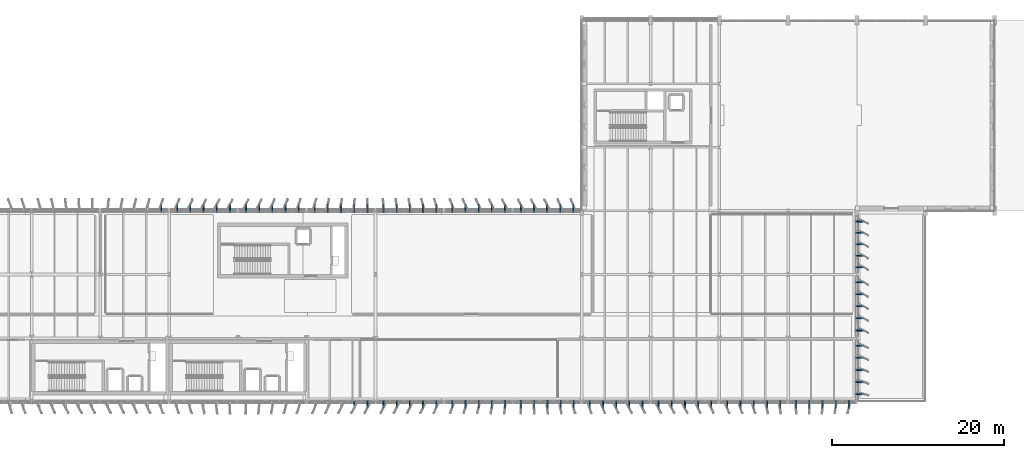
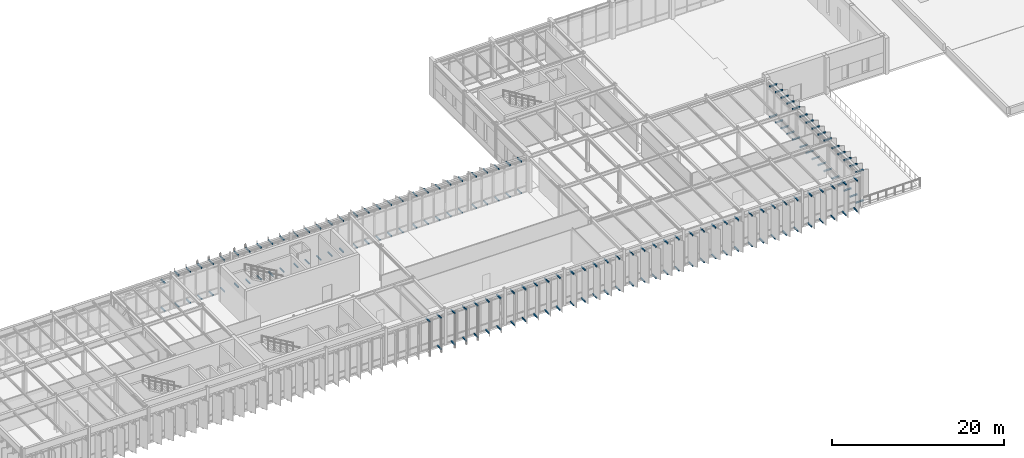
# One storey, part 39 of 48: 165 discrete accessories.
"""IFC4 building model written with IfcOpenShell, lengths in metres."""

from ifc_helpers import new_model, si_unit, direction, frame, origin, origin_2d, place, context, subcontext, project, spatial, rectangle, extrude, material, type_object, element, save


model = new_model("IFC4")

# Units and contexts
model_context = context("Model", 3, precision=1e-05, world=origin(), true_north=direction((0.0, 1.0)))
body_context = subcontext(model_context, "Body", "Model", "MODEL_VIEW")
ifc_project = project(units=[si_unit("LENGTHUNIT", "METRE"), si_unit("AREAUNIT", "SQUARE_METRE"), si_unit("VOLUMEUNIT", "CUBIC_METRE"), si_unit("PLANEANGLEUNIT", "RADIAN"), si_unit("MASSUNIT", "GRAM", prefix="KILO")], contexts=[model_context])

# Site, building, storey
site_placement = place(None, origin())
site = spatial("IfcSite", under=ifc_project, at=site_placement, CompositionType="ELEMENT")
building_placement = place(site_placement, origin())
building = spatial("IfcBuilding", under=site, at=building_placement, Name="Valkorina Park Police Headquarters", CompositionType="ELEMENT")
storey_placement = place(building_placement, frame((0.0, 0.0, 18.10009765625)))
storey = spatial("IfcBuildingStorey", under=building, at=storey_placement, Name="L05", CompositionType="ELEMENT", Elevation=18.10009765625)

# Discrete accessories
ifc_material = material(Name="Thermally broken aluminium AW-6060", Category="aluminium")
discrete_accessory_type = type_object("IfcDiscreteAccessoryType", Name="ACC-BRACKET-LOUVRE", PredefinedType="BRACKET", material=ifc_material)
for number, where, z_axis, x_axis, name in (
    (1, (111.8720703125, 36.719970703125, -0.06982421875), (0.0, 0.0, 1.0), (0.0, -1.0, 0.0), "Louvre Outrigger Bracket BOT 0315"),
    (2, (111.8720703125, 36.719970703125, 4.259765625), (0.0, 0.0, 1.0), (0.0, -1.0, 0.0), "Louvre Outrigger Bracket TOP 0316"),
    (3, (110.3359375, 36.719970703125, -0.06982421875), (0.0, 0.0, 1.0), (0.0, -1.0, 0.0), "Louvre Outrigger Bracket BOT 0317"),
    (4, (110.3359375, 36.719970703125, 4.259765625), (0.0, 0.0, 1.0), (0.0, -1.0, 0.0), "Louvre Outrigger Bracket TOP 0318"),
    (5, (108.800048828125, 36.719970703125, -0.06982421875), (0.0, 0.0, 1.0), (0.0, -1.0, 0.0), "Louvre Outrigger Bracket BOT 0319"),
    (6, (108.800048828125, 36.719970703125, 4.259765625), (0.0, 0.0, 1.0), (0.0, -1.0, 0.0), "Louvre Outrigger Bracket TOP 0320"),
    (7, (107.263916015625, 36.719970703125, -0.06982421875), (0.0, 0.0, 1.0), (0.0, -1.0, 0.0), "Louvre Outrigger Bracket BOT 0321"),
    (8, (107.263916015625, 36.719970703125, 4.259765625), (0.0, 0.0, 1.0), (0.0, -1.0, 0.0), "Louvre Outrigger Bracket TOP 0322"),
    (9, (105.72802734375, 36.719970703125, -0.06982421875), (0.0, 0.0, 1.0), (0.0, -1.0, 0.0), "Louvre Outrigger Bracket BOT 0323"),
    (10, (105.72802734375, 36.719970703125, 4.259765625), (0.0, 0.0, 1.0), (0.0, -1.0, 0.0), "Louvre Outrigger Bracket TOP 0324"),
    (11, (103.8720703125, 36.719970703125, -0.06982421875), (0.0, 0.0, 1.0), (0.0, -1.0, 0.0), "Louvre Outrigger Bracket BOT 0325"),
    (12, (103.8720703125, 36.719970703125, 4.259765625), (0.0, 0.0, 1.0), (0.0, -1.0, 0.0), "Louvre Outrigger Bracket TOP 0326"),
    (13, (102.3359375, 36.719970703125, -0.06982421875), (0.0, 0.0, 1.0), (0.0, -1.0, 0.0), "Louvre Outrigger Bracket BOT 0327"),
    (14, (102.3359375, 36.719970703125, 4.259765625), (0.0, 0.0, 1.0), (0.0, -1.0, 0.0), "Louvre Outrigger Bracket TOP 0328"),
    (15, (100.800048828125, 36.719970703125, -0.06982421875), (0.0, 0.0, 1.0), (0.0, -1.0, 0.0), "Louvre Outrigger Bracket BOT 0329"),
    (16, (100.800048828125, 36.719970703125, 4.259765625), (0.0, 0.0, 1.0), (0.0, -1.0, 0.0), "Louvre Outrigger Bracket TOP 0330"),
    (17, (99.263916015625, 36.719970703125, -0.06982421875), (0.0, 0.0, 1.0), (0.0, -1.0, 0.0), "Louvre Outrigger Bracket BOT 0331"),
    (18, (99.263916015625, 36.719970703125, 4.259765625), (0.0, 0.0, 1.0), (0.0, -1.0, 0.0), "Louvre Outrigger Bracket TOP 0332"),
    (19, (97.72802734375, 36.719970703125, -0.06982421875), (0.0, 0.0, 1.0), (0.0, -1.0, 0.0), "Louvre Outrigger Bracket BOT 0333"),
    (20, (97.72802734375, 36.719970703125, 4.259765625), (0.0, 0.0, 1.0), (0.0, -1.0, 0.0), "Louvre Outrigger Bracket TOP 0334"),
    (21, (95.8720703125, 36.719970703125, -0.06982421875), (0.0, 0.0, 1.0), (0.0, -1.0, 0.0), "Louvre Outrigger Bracket BOT 0335"),
    (22, (95.8720703125, 36.719970703125, 4.259765625), (0.0, 0.0, 1.0), (0.0, -1.0, 0.0), "Louvre Outrigger Bracket TOP 0336"),
    (23, (94.3359375, 36.719970703125, -0.06982421875), (0.0, 0.0, 1.0), (0.0, -1.0, 0.0), "Louvre Outrigger Bracket BOT 0337"),
    (24, (94.3359375, 36.719970703125, 4.259765625), (0.0, 0.0, 1.0), (0.0, -1.0, 0.0), "Louvre Outrigger Bracket TOP 0338"),
    (25, (92.800048828125, 36.719970703125, -0.06982421875), (0.0, 0.0, 1.0), (0.0, -1.0, 0.0), "Louvre Outrigger Bracket BOT 0339"),
    (26, (92.800048828125, 36.719970703125, 4.259765625), (0.0, 0.0, 1.0), (0.0, -1.0, 0.0), "Louvre Outrigger Bracket TOP 0340"),
    (27, (91.263916015625, 36.719970703125, -0.06982421875), (0.0, 0.0, 1.0), (0.0, -1.0, 0.0), "Louvre Outrigger Bracket BOT 0341"),
    (28, (91.263916015625, 36.719970703125, 4.259765625), (0.0, 0.0, 1.0), (0.0, -1.0, 0.0), "Louvre Outrigger Bracket TOP 0342"),
    (29, (89.72802734375, 36.719970703125, -0.06982421875), (0.0, 0.0, 1.0), (0.0, -1.0, 0.0), "Louvre Outrigger Bracket BOT 0343"),
    (30, (89.72802734375, 36.719970703125, 4.259765625), (0.0, 0.0, 1.0), (0.0, -1.0, 0.0), "Louvre Outrigger Bracket TOP 0344"),
    (31, (87.8720703125, 36.719970703125, -0.06982421875), (0.0, 0.0, 1.0), (0.0, -1.0, 0.0), "Louvre Outrigger Bracket BOT 0345"),
    (32, (87.8720703125, 36.719970703125, 4.31982421875), (0.0, 0.0, 1.0), (0.0, -1.0, 0.0), "Louvre Outrigger Bracket TOP 0346"),
    (33, (86.3359375, 36.719970703125, -0.06982421875), (0.0, 0.0, 1.0), (0.0, -1.0, 0.0), "Louvre Outrigger Bracket BOT 0347"),
    (34, (86.3359375, 36.719970703125, 4.31982421875), (0.0, 0.0, 1.0), (0.0, -1.0, 0.0), "Louvre Outrigger Bracket TOP 0348"),
    (35, (84.800048828125, 36.719970703125, -0.06982421875), (0.0, 0.0, 1.0), (0.0, -1.0, 0.0), "Louvre Outrigger Bracket BOT 0349"),
    (36, (84.800048828125, 36.719970703125, 4.31982421875), (0.0, 0.0, 1.0), (0.0, -1.0, 0.0), "Louvre Outrigger Bracket TOP 0350"),
    (37, (83.263916015625, 36.719970703125, -0.06982421875), (0.0, 0.0, 1.0), (0.0, -1.0, 0.0), "Louvre Outrigger Bracket BOT 0351"),
    (38, (83.263916015625, 36.719970703125, 4.31982421875), (0.0, 0.0, 1.0), (0.0, -1.0, 0.0), "Louvre Outrigger Bracket TOP 0352"),
    (39, (81.72802734375, 36.719970703125, -0.06982421875), (0.0, 0.0, 1.0), (0.0, -1.0, 0.0), "Louvre Outrigger Bracket BOT 0353"),
    (40, (81.72802734375, 36.719970703125, 4.31982421875), (0.0, 0.0, 1.0), (0.0, -1.0, 0.0), "Louvre Outrigger Bracket TOP 0354"),
    (41, (79.8720703125, 36.719970703125, -0.06982421875), (0.0, 0.0, 1.0), (0.0, -1.0, 0.0), "Louvre Outrigger Bracket BOT 0355"),
    (42, (79.8720703125, 36.719970703125, 4.3701171875), (0.0, 0.0, 1.0), (0.0, -1.0, 0.0), "Louvre Outrigger Bracket TOP 0356"),
    (43, (78.3359375, 36.719970703125, -0.06982421875), (0.0, 0.0, 1.0), (0.0, -1.0, 0.0), "Louvre Outrigger Bracket BOT 0357"),
    (44, (78.3359375, 36.719970703125, 4.3701171875), (0.0, 0.0, 1.0), (0.0, -1.0, 0.0), "Louvre Outrigger Bracket TOP 0358"),
    (45, (76.800048828125, 36.719970703125, -0.06982421875), (0.0, 0.0, 1.0), (0.0, -1.0, 0.0), "Louvre Outrigger Bracket BOT 0359"),
    (46, (76.800048828125, 36.719970703125, 4.3701171875), (0.0, 0.0, 1.0), (0.0, -1.0, 0.0), "Louvre Outrigger Bracket TOP 0360"),
    (47, (75.263916015625, 36.719970703125, -0.06982421875), (0.0, 0.0, 1.0), (0.0, -1.0, 0.0), "Louvre Outrigger Bracket BOT 0361"),
    (48, (75.263916015625, 36.719970703125, 4.3701171875), (0.0, 0.0, 1.0), (0.0, -1.0, 0.0), "Louvre Outrigger Bracket TOP 0362"),
    (49, (73.72802734375, 36.719970703125, -0.06982421875), (0.0, 0.0, 1.0), (0.0, -1.0, 0.0), "Louvre Outrigger Bracket BOT 0363"),
    (50, (73.72802734375, 36.719970703125, 4.3701171875), (0.0, 0.0, 1.0), (0.0, -1.0, 0.0), "Louvre Outrigger Bracket TOP 0364"),
    (51, (71.8720703125, 36.719970703125, -0.06982421875), (0.0, 0.0, 1.0), (0.0, -1.0, 0.0), "Louvre Outrigger Bracket BOT 0365"),
    (52, (71.8720703125, 36.719970703125, 4.43017578125), (0.0, 0.0, 1.0), (0.0, -1.0, 0.0), "Louvre Outrigger Bracket TOP 0366"),
    (53, (70.3359375, 36.719970703125, -0.06982421875), (0.0, 0.0, 1.0), (0.0, -1.0, 0.0), "Louvre Outrigger Bracket BOT 0367"),
    (54, (70.3359375, 36.719970703125, 4.43017578125), (0.0, 0.0, 1.0), (0.0, -1.0, 0.0), "Louvre Outrigger Bracket TOP 0368"),
    (55, (68.800048828125, 36.719970703125, -0.06982421875), (0.0, 0.0, 1.0), (0.0, -1.0, 0.0), "Louvre Outrigger Bracket BOT 0369"),
    (56, (68.800048828125, 36.719970703125, 4.43017578125), (0.0, 0.0, 1.0), (0.0, -1.0, 0.0), "Louvre Outrigger Bracket TOP 0370"),
    (57, (67.263916015625, 36.719970703125, -0.06982421875), (0.0, 0.0, 1.0), (0.0, -1.0, 0.0), "Louvre Outrigger Bracket BOT 0371"),
    (58, (67.263916015625, 36.719970703125, 4.43017578125), (0.0, 0.0, 1.0), (0.0, -1.0, 0.0), "Louvre Outrigger Bracket TOP 0372"),
    (59, (65.72802734375, 36.719970703125, -0.06982421875), (0.0, 0.0, 1.0), (0.0, -1.0, 0.0), "Louvre Outrigger Bracket BOT 0373"),
    (60, (65.72802734375, 36.719970703125, 4.43017578125), (0.0, 0.0, 1.0), (0.0, -1.0, 0.0), "Louvre Outrigger Bracket TOP 0374"),
    (61, (63.8720703125, 36.719970703125, -0.06982421875), (0.0, 0.0, 1.0), (0.0, -1.0, 0.0), "Louvre Outrigger Bracket BOT 0375"),
    (62, (63.8720703125, 36.719970703125, 4.3701171875), (0.0, 0.0, 1.0), (0.0, -1.0, 0.0), "Louvre Outrigger Bracket TOP 0376"),
    (63, (62.3359375, 36.719970703125, -0.06982421875), (0.0, 0.0, 1.0), (0.0, -1.0, 0.0), "Louvre Outrigger Bracket BOT 0377"),
    (64, (62.3359375, 36.719970703125, 4.3701171875), (0.0, 0.0, 1.0), (0.0, -1.0, 0.0), "Louvre Outrigger Bracket TOP 0378"),
    (65, (60.800048828125, 36.719970703125, -0.06982421875), (0.0, 0.0, 1.0), (0.0, -1.0, 0.0), "Louvre Outrigger Bracket BOT 0379"),
    (66, (60.800048828125, 36.719970703125, 4.3701171875), (0.0, 0.0, 1.0), (0.0, -1.0, 0.0), "Louvre Outrigger Bracket TOP 0380"),
    (67, (59.263916015625, 36.719970703125, -0.06982421875), (0.0, 0.0, 1.0), (0.0, -1.0, 0.0), "Louvre Outrigger Bracket BOT 0381"),
    (68, (59.263916015625, 36.719970703125, 4.3701171875), (0.0, 0.0, 1.0), (0.0, -1.0, 0.0), "Louvre Outrigger Bracket TOP 0382"),
    (69, (57.72802734375, 36.719970703125, -0.06982421875), (0.0, 0.0, 1.0), (0.0, -1.0, 0.0), "Louvre Outrigger Bracket BOT 0383"),
    (70, (57.72802734375, 36.719970703125, 4.3701171875), (0.0, 0.0, 1.0), (0.0, -1.0, 0.0), "Louvre Outrigger Bracket TOP 0384"),
    (71, (55.8720703125, 36.719970703125, -0.06982421875), (0.0, 0.0, 1.0), (0.0, -1.0, 0.0), "Louvre Outrigger Bracket BOT 0385"),
    (72, (55.8720703125, 36.719970703125, 4.3701171875), (0.0, 0.0, 1.0), (0.0, -1.0, 0.0), "Louvre Outrigger Bracket TOP 0386"),
    (73, (54.3359375, 36.719970703125, 4.3701171875), (0.0, 0.0, 1.0), (0.0, -1.0, 0.0), "Louvre Outrigger Bracket TOP 0388"),
    (74, (31.8720703125, 59.47998046875, -0.06982421875), (0.0, 0.0, 1.0), (0.0, 1.0, 0.0), "Louvre Outrigger Bracket BOT 0527"),
    (75, (31.8720703125, 59.47998046875, 3.919921875), (0.0, 0.0, 1.0), (0.0, 1.0, 0.0), "Louvre Outrigger Bracket TOP 0528"),
    (76, (33.72802734375, 59.47998046875, -0.06982421875), (0.0, 0.0, 1.0), (0.0, 1.0, 0.0), "Louvre Outrigger Bracket BOT 0529"),
    (77, (33.72802734375, 59.47998046875, 4.3701171875), (0.0, 0.0, 1.0), (0.0, 1.0, 0.0), "Louvre Outrigger Bracket TOP 0530"),
    (78, (35.263916015625, 59.47998046875, -0.06982421875), (0.0, 0.0, 1.0), (0.0, 1.0, 0.0), "Louvre Outrigger Bracket BOT 0531"),
    (79, (35.263916015625, 59.47998046875, 4.3701171875), (0.0, 0.0, 1.0), (0.0, 1.0, 0.0), "Louvre Outrigger Bracket TOP 0532"),
    (80, (36.800048828125, 59.47998046875, -0.06982421875), (0.0, 0.0, 1.0), (0.0, 1.0, 0.0), "Louvre Outrigger Bracket BOT 0533"),
    (81, (36.800048828125, 59.47998046875, 4.3701171875), (0.0, 0.0, 1.0), (0.0, 1.0, 0.0), "Louvre Outrigger Bracket TOP 0534"),
    (82, (38.3359375, 59.47998046875, -0.06982421875), (0.0, 0.0, 1.0), (0.0, 1.0, 0.0), "Louvre Outrigger Bracket BOT 0535"),
    (83, (38.3359375, 59.47998046875, 4.3701171875), (0.0, 0.0, 1.0), (0.0, 1.0, 0.0), "Louvre Outrigger Bracket TOP 0536"),
    (84, (39.8720703125, 59.47998046875, -0.06982421875), (0.0, 0.0, 1.0), (0.0, 1.0, 0.0), "Louvre Outrigger Bracket BOT 0537"),
    (85, (39.8720703125, 59.47998046875, 4.3701171875), (0.0, 0.0, 1.0), (0.0, 1.0, 0.0), "Louvre Outrigger Bracket TOP 0538"),
    (86, (41.72802734375, 59.47998046875, -0.06982421875), (0.0, 0.0, 1.0), (0.0, 1.0, 0.0), "Louvre Outrigger Bracket BOT 0539"),
    (87, (41.72802734375, 59.47998046875, 4.43017578125), (0.0, 0.0, 1.0), (0.0, 1.0, 0.0), "Louvre Outrigger Bracket TOP 0540"),
    (88, (43.263916015625, 59.47998046875, -0.06982421875), (0.0, 0.0, 1.0), (0.0, 1.0, 0.0), "Louvre Outrigger Bracket BOT 0541"),
    (89, (43.263916015625, 59.47998046875, 4.43017578125), (0.0, 0.0, 1.0), (0.0, 1.0, 0.0), "Louvre Outrigger Bracket TOP 0542"),
    (90, (44.800048828125, 59.47998046875, -0.06982421875), (0.0, 0.0, 1.0), (0.0, 1.0, 0.0), "Louvre Outrigger Bracket BOT 0543"),
    (91, (44.800048828125, 59.47998046875, 4.43017578125), (0.0, 0.0, 1.0), (0.0, 1.0, 0.0), "Louvre Outrigger Bracket TOP 0544"),
    (92, (46.3359375, 59.47998046875, -0.06982421875), (0.0, 0.0, 1.0), (0.0, 1.0, 0.0), "Louvre Outrigger Bracket BOT 0545"),
    (93, (46.3359375, 59.47998046875, 4.43017578125), (0.0, 0.0, 1.0), (0.0, 1.0, 0.0), "Louvre Outrigger Bracket TOP 0546"),
    (94, (47.8720703125, 59.47998046875, -0.06982421875), (0.0, 0.0, 1.0), (0.0, 1.0, 0.0), "Louvre Outrigger Bracket BOT 0547"),
    (95, (47.8720703125, 59.47998046875, 4.43017578125), (0.0, 0.0, 1.0), (0.0, 1.0, 0.0), "Louvre Outrigger Bracket TOP 0548"),
    (96, (49.72802734375, 59.47998046875, -0.06982421875), (0.0, 0.0, 1.0), (0.0, 1.0, 0.0), "Louvre Outrigger Bracket BOT 0549"),
    (97, (49.72802734375, 59.47998046875, 4.3701171875), (0.0, 0.0, 1.0), (0.0, 1.0, 0.0), "Louvre Outrigger Bracket TOP 0550"),
    (98, (51.263916015625, 59.47998046875, -0.06982421875), (0.0, 0.0, 1.0), (0.0, 1.0, 0.0), "Louvre Outrigger Bracket BOT 0551"),
    (99, (51.263916015625, 59.47998046875, 4.3701171875), (0.0, 0.0, 1.0), (0.0, 1.0, 0.0), "Louvre Outrigger Bracket TOP 0552"),
    (100, (52.800048828125, 59.47998046875, -0.06982421875), (0.0, 0.0, 1.0), (0.0, 1.0, 0.0), "Louvre Outrigger Bracket BOT 0553"),
    (101, (52.800048828125, 59.47998046875, 4.3701171875), (0.0, 0.0, 1.0), (0.0, 1.0, 0.0), "Louvre Outrigger Bracket TOP 0554"),
    (102, (54.3359375, 59.47998046875, -0.06982421875), (0.0, 0.0, 1.0), (0.0, 1.0, 0.0), "Louvre Outrigger Bracket BOT 0555"),
    (103, (54.3359375, 59.47998046875, 4.3701171875), (0.0, 0.0, 1.0), (0.0, 1.0, 0.0), "Louvre Outrigger Bracket TOP 0556"),
    (104, (55.8720703125, 59.47998046875, -0.06982421875), (0.0, 0.0, 1.0), (0.0, 1.0, 0.0), "Louvre Outrigger Bracket BOT 0557"),
    (105, (55.8720703125, 59.47998046875, 4.3701171875), (0.0, 0.0, 1.0), (0.0, 1.0, 0.0), "Louvre Outrigger Bracket TOP 0558"),
    (106, (57.72802734375, 59.47998046875, -0.06982421875), (0.0, 0.0, 1.0), (0.0, 1.0, 0.0), "Louvre Outrigger Bracket BOT 0559"),
    (107, (57.72802734375, 59.47998046875, 4.3701171875), (0.0, 0.0, 1.0), (0.0, 1.0, 0.0), "Louvre Outrigger Bracket TOP 0560"),
    (108, (59.263916015625, 59.47998046875, -0.06982421875), (0.0, 0.0, 1.0), (0.0, 1.0, 0.0), "Louvre Outrigger Bracket BOT 0561"),
    (109, (59.263916015625, 59.47998046875, 4.3701171875), (0.0, 0.0, 1.0), (0.0, 1.0, 0.0), "Louvre Outrigger Bracket TOP 0562"),
    (110, (60.800048828125, 59.47998046875, -0.06982421875), (0.0, 0.0, 1.0), (0.0, 1.0, 0.0), "Louvre Outrigger Bracket BOT 0563"),
    (111, (60.800048828125, 59.47998046875, 4.3701171875), (0.0, 0.0, 1.0), (0.0, 1.0, 0.0), "Louvre Outrigger Bracket TOP 0564"),
    (112, (62.3359375, 59.47998046875, -0.06982421875), (0.0, 0.0, 1.0), (0.0, 1.0, 0.0), "Louvre Outrigger Bracket BOT 0565"),
    (113, (62.3359375, 59.47998046875, 4.3701171875), (0.0, 0.0, 1.0), (0.0, 1.0, 0.0), "Louvre Outrigger Bracket TOP 0566"),
    (114, (63.8720703125, 59.47998046875, -0.06982421875), (0.0, 0.0, 1.0), (0.0, 1.0, 0.0), "Louvre Outrigger Bracket BOT 0567"),
    (115, (63.8720703125, 59.47998046875, 4.3701171875), (0.0, 0.0, 1.0), (0.0, 1.0, 0.0), "Louvre Outrigger Bracket TOP 0568"),
    (116, (65.72802734375, 59.47998046875, -0.06982421875), (0.0, 0.0, 1.0), (0.0, 1.0, 0.0), "Louvre Outrigger Bracket BOT 0569"),
    (117, (65.72802734375, 59.47998046875, 4.43017578125), (0.0, 0.0, 1.0), (0.0, 1.0, 0.0), "Louvre Outrigger Bracket TOP 0570"),
    (118, (67.263916015625, 59.47998046875, -0.06982421875), (0.0, 0.0, 1.0), (0.0, 1.0, 0.0), "Louvre Outrigger Bracket BOT 0571"),
    (119, (67.263916015625, 59.47998046875, 4.43017578125), (0.0, 0.0, 1.0), (0.0, 1.0, 0.0), "Louvre Outrigger Bracket TOP 0572"),
    (120, (68.800048828125, 59.47998046875, -0.06982421875), (0.0, 0.0, 1.0), (0.0, 1.0, 0.0), "Louvre Outrigger Bracket BOT 0573"),
    (121, (68.800048828125, 59.47998046875, 4.43017578125), (0.0, 0.0, 1.0), (0.0, 1.0, 0.0), "Louvre Outrigger Bracket TOP 0574"),
    (122, (70.3359375, 59.47998046875, -0.06982421875), (0.0, 0.0, 1.0), (0.0, 1.0, 0.0), "Louvre Outrigger Bracket BOT 0575"),
    (123, (70.3359375, 59.47998046875, 4.43017578125), (0.0, 0.0, 1.0), (0.0, 1.0, 0.0), "Louvre Outrigger Bracket TOP 0576"),
    (124, (71.8720703125, 59.47998046875, -0.06982421875), (0.0, 0.0, 1.0), (0.0, 1.0, 0.0), "Louvre Outrigger Bracket BOT 0577"),
    (125, (71.8720703125, 59.47998046875, 4.43017578125), (0.0, 0.0, 1.0), (0.0, 1.0, 0.0), "Louvre Outrigger Bracket TOP 0578"),
    (126, (73.720458984375, 59.47998046875, -0.06982421875), (0.0, 0.0, 1.0), (0.0, 1.0, 0.0), "Louvre Outrigger Bracket BOT 0579"),
    (127, (73.720458984375, 59.47998046875, 4.43017578125), (0.0, 0.0, 1.0), (0.0, 1.0, 0.0), "Louvre Outrigger Bracket TOP 0580"),
    (128, (75.241455078125, 59.47998046875, -0.06982421875), (0.0, 0.0, 1.0), (0.0, 1.0, 0.0), "Louvre Outrigger Bracket BOT 0581"),
    (129, (75.241455078125, 59.47998046875, 4.43017578125), (0.0, 0.0, 1.0), (0.0, 1.0, 0.0), "Louvre Outrigger Bracket TOP 0582"),
    (130, (76.762451171875, 59.47998046875, -0.06982421875), (0.0, 0.0, 1.0), (0.0, 1.0, 0.0), "Louvre Outrigger Bracket BOT 0583"),
    (131, (76.762451171875, 59.47998046875, 4.43017578125), (0.0, 0.0, 1.0), (0.0, 1.0, 0.0), "Louvre Outrigger Bracket TOP 0584"),
    (132, (78.283447265625, 59.47998046875, -0.06982421875), (0.0, 0.0, 1.0), (0.0, 1.0, 0.0), "Louvre Outrigger Bracket BOT 0585"),
    (133, (78.283447265625, 59.47998046875, 4.43017578125), (0.0, 0.0, 1.0), (0.0, 1.0, 0.0), "Louvre Outrigger Bracket TOP 0586"),
    (134, (79.804443359375, 59.47998046875, -0.06982421875), (0.0, 0.0, 1.0), (0.0, 1.0, 0.0), "Louvre Outrigger Bracket BOT 0587"),
    (135, (79.804443359375, 59.47998046875, 4.43017578125), (0.0, 0.0, 1.0), (0.0, 1.0, 0.0), "Louvre Outrigger Bracket TOP 0588"),
    (136, (113.080078125, 57.97509765625, -0.06982421875), (0.0, 0.0, 1.0), (1.0, 0.0, 0.0), "Louvre Outrigger Bracket BOT 0589"),
    (137, (113.080078125, 57.97509765625, 4.259765625), (0.0, 0.0, 1.0), (1.0, 0.0, 0.0), "Louvre Outrigger Bracket TOP 0590"),
    (138, (113.080078125, 56.64501953125, -0.06982421875), (0.0, 0.0, 1.0), (1.0, 0.0, 0.0), "Louvre Outrigger Bracket BOT 0591"),
    (139, (113.080078125, 56.64501953125, 4.259765625), (0.0, 0.0, 1.0), (1.0, 0.0, 0.0), "Louvre Outrigger Bracket TOP 0592"),
    (140, (113.080078125, 55.31494140625, -0.06982421875), (0.0, 0.0, 1.0), (1.0, 0.0, 0.0), "Louvre Outrigger Bracket BOT 0593"),
    (141, (113.080078125, 55.31494140625, 4.259765625), (0.0, 0.0, 1.0), (1.0, 0.0, 0.0), "Louvre Outrigger Bracket TOP 0594"),
    (142, (113.080078125, 53.985107421875, -0.06982421875), (0.0, 0.0, 1.0), (1.0, 0.0, 0.0), "Louvre Outrigger Bracket BOT 0595"),
    (143, (113.080078125, 53.985107421875, 4.259765625), (0.0, 0.0, 1.0), (1.0, 0.0, 0.0), "Louvre Outrigger Bracket TOP 0596"),
    (144, (113.080078125, 52.655029296875, -0.06982421875), (0.0, 0.0, 1.0), (1.0, 0.0, 0.0), "Louvre Outrigger Bracket BOT 0597"),
    (145, (113.080078125, 52.655029296875, 4.259765625), (0.0, 0.0, 1.0), (1.0, 0.0, 0.0), "Louvre Outrigger Bracket TOP 0598"),
    (146, (113.080078125, 50.907958984375, -0.06982421875), (0.0, 0.0, 1.0), (1.0, 0.0, 0.0), "Louvre Outrigger Bracket BOT 0599"),
    (147, (113.080078125, 50.907958984375, 4.259765625), (0.0, 0.0, 1.0), (1.0, 0.0, 0.0), "Louvre Outrigger Bracket TOP 0600"),
    (148, (113.080078125, 49.50390625, -0.06982421875), (0.0, 0.0, 1.0), (1.0, 0.0, 0.0), "Louvre Outrigger Bracket BOT 0601"),
    (149, (113.080078125, 49.50390625, 4.259765625), (0.0, 0.0, 1.0), (1.0, 0.0, 0.0), "Louvre Outrigger Bracket TOP 0602"),
    (150, (113.080078125, 48.10009765625, -0.06982421875), (0.0, 0.0, 1.0), (1.0, 0.0, 0.0), "Louvre Outrigger Bracket BOT 0603"),
    (151, (113.080078125, 48.10009765625, 4.259765625), (0.0, 0.0, 1.0), (1.0, 0.0, 0.0), "Louvre Outrigger Bracket TOP 0604"),
    (152, (113.080078125, 46.696044921875, -0.06982421875), (0.0, 0.0, 1.0), (1.0, 0.0, 0.0), "Louvre Outrigger Bracket BOT 0605"),
    (153, (113.080078125, 46.696044921875, 4.259765625), (0.0, 0.0, 1.0), (1.0, 0.0, 0.0), "Louvre Outrigger Bracket TOP 0606"),
    (154, (113.080078125, 45.2919921875, -0.06982421875), (0.0, 0.0, 1.0), (1.0, 0.0, 0.0), "Louvre Outrigger Bracket BOT 0607"),
    (155, (113.080078125, 45.2919921875, 4.259765625), (0.0, 0.0, 1.0), (1.0, 0.0, 0.0), "Louvre Outrigger Bracket TOP 0608"),
    (156, (113.080078125, 43.508056640625, -0.06982421875), (0.0, 0.0, 1.0), (1.0, 0.0, 0.0), "Louvre Outrigger Bracket BOT 0609"),
    (157, (113.080078125, 43.508056640625, 4.259765625), (0.0, 0.0, 1.0), (1.0, 0.0, 0.0), "Louvre Outrigger Bracket TOP 0610"),
    (158, (113.080078125, 42.10400390625, -0.06982421875), (0.0, 0.0, 1.0), (1.0, 0.0, 0.0), "Louvre Outrigger Bracket BOT 0611"),
    (159, (113.080078125, 42.10400390625, 4.259765625), (0.0, 0.0, 1.0), (1.0, 0.0, 0.0), "Louvre Outrigger Bracket TOP 0612"),
    (160, (113.080078125, 40.699951171875, -0.06982421875), (0.0, 0.0, 1.0), (1.0, 0.0, 0.0), "Louvre Outrigger Bracket BOT 0613"),
    (161, (113.080078125, 40.699951171875, 4.259765625), (0.0, 0.0, 1.0), (1.0, 0.0, 0.0), "Louvre Outrigger Bracket TOP 0614"),
    (162, (113.080078125, 39.2958984375, -0.06982421875), (0.0, 0.0, 1.0), (1.0, 0.0, 0.0), "Louvre Outrigger Bracket BOT 0615"),
    (163, (113.080078125, 39.2958984375, 4.259765625), (0.0, 0.0, 1.0), (1.0, 0.0, 0.0), "Louvre Outrigger Bracket TOP 0616"),
    (164, (113.080078125, 37.89208984375, -0.06982421875), (0.0, 0.0, 1.0), (1.0, 0.0, 0.0), "Louvre Outrigger Bracket BOT 0617"),
    (165, (113.080078125, 37.89208984375, 4.259765625), (0.0, 0.0, 1.0), (1.0, 0.0, 0.0), "Louvre Outrigger Bracket TOP 0618"),
):
    element("IfcDiscreteAccessory", number, at=place(storey_placement, frame(where, z_axis=z_axis, x_axis=x_axis)), inside=storey, type_object=discrete_accessory_type, Name=name, PredefinedType="BRACKET", context=body_context, shape_type="SweptSolid", body=[
        extrude(rectangle(XDim=0.9599609375, YDim=0.139892578125, at=origin_2d()), origin(), (0.0, 0.0, 1.0), 0.179931640625),
    ])

save(model, "model.ifc")
